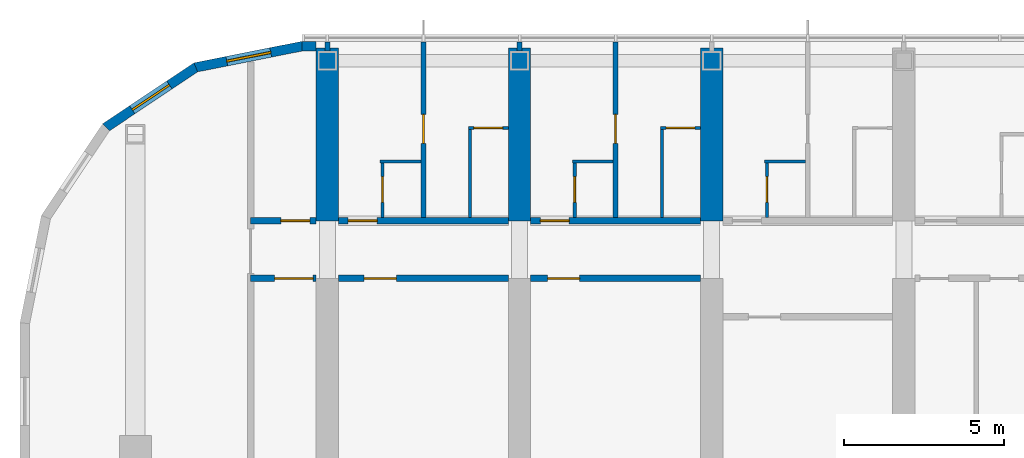
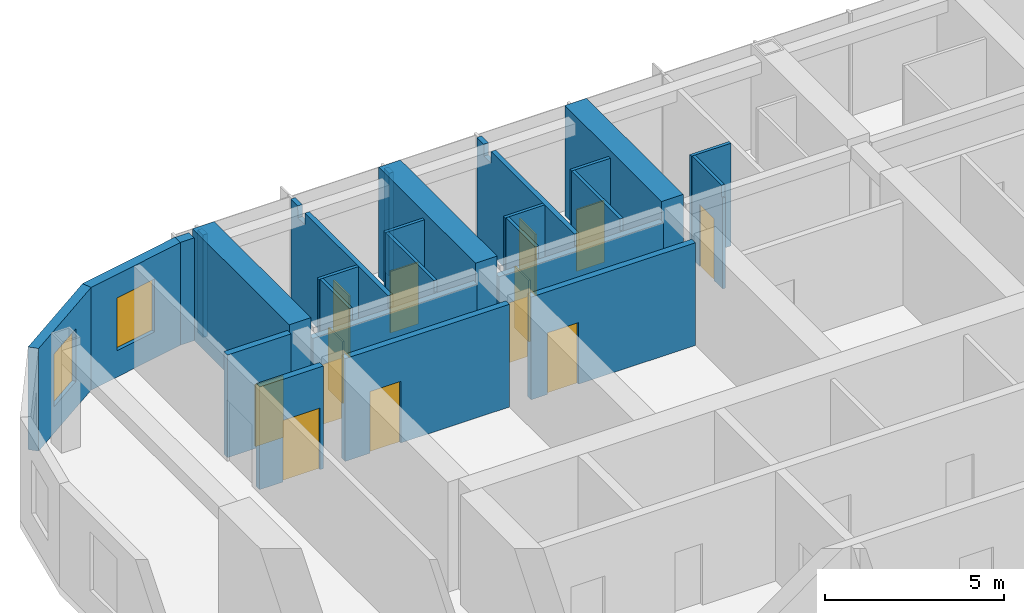
# One storey, part 16 of 24: 26 walls, 13 doors, 2 windows, 15 openings.
"""IFC4 building model written with IfcOpenShell, lengths in metres."""

from ifc_helpers import new_model, si_unit, direction, frame, frame_2d, origin, place, context, subcontext, project, spatial, polyline, rectangle, outline, extrude, material, layer, layer_set, type_object, element, fill, save


model = new_model("IFC4")

# Units and contexts
model_context = context("Model", 3, precision=1e-05, world=origin(), true_north=direction((0.0, 1.0)))
body_context = subcontext(model_context, "Body", "Model", "MODEL_VIEW")
ifc_project = project(units=[si_unit("LENGTHUNIT", "METRE"), si_unit("AREAUNIT", "SQUARE_METRE"), si_unit("VOLUMEUNIT", "CUBIC_METRE"), si_unit("PLANEANGLEUNIT", "RADIAN"), si_unit("MASSUNIT", "GRAM", prefix="KILO")], contexts=[model_context])

# Site, building, storey
site_placement = place(None, origin())
site = spatial("IfcSite", under=ifc_project, at=site_placement, CompositionType="ELEMENT")
building_placement = place(site_placement, origin())
building = spatial("IfcBuilding", under=site, at=building_placement, Name="Orbita Commons", CompositionType="ELEMENT")
storey_placement = place(building_placement, frame((0.0, 0.0, 239.050048828125)))
storey = spatial("IfcBuildingStorey", under=building, at=storey_placement, Name="L59", CompositionType="ELEMENT", Elevation=239.050048828125)

# Wall, opening, door
ifc_material_1 = material(Name="Concrete blockwork", Category="masonry")
ifc_layer_1 = layer(ifc_material_1, 0.199951171875)
ifc_layer_set_1 = layer_set([ifc_layer_1], Name="Concrete blockwork")
wall_type_1 = type_object("IfcWallType", Name="Corridor wall 200 blockwork", PredefinedType="SOLIDWALL", material=ifc_layer_set_1)
wall_1_placement = place(storey_placement, frame((15.60009765625, 47.39990234375, 0.0), z_axis=(0.0, 0.0, 1.0), x_axis=(1.0, 0.0, 0.0)))
wall_1 = element("IfcWall", 1, at=wall_1_placement, inside=storey, type_object=wall_type_1, Name="Corridor wall 200 blockwork L59", PredefinedType="SOLIDWALL", context=body_context, shape_type="SweptSolid", body=[
    extrude(rectangle(XDim=2.0498046875, YDim=0.199951171875, at=frame_2d((1.02490234375, 0.0))), origin(), (0.0, 0.0, 1.0), 3.5),
])
opening_1_placement = place(wall_1_placement, frame((0.949951171875, 0.0, 0.0)))
opening_1 = element("IfcOpeningElement", 2, at=opening_1_placement, cuts=wall_1, Name="Opening D05", PredefinedType="OPENING", context=body_context, shape_type="SweptSolid", body=[
    extrude(rectangle(XDim=0.89990234375, YDim=2.10009765625, at=frame_2d((0.449951171875, 1.050048828125))), frame((0.0, 0.10986328125, 0.0), z_axis=(0.0, -1.0, 0.0), x_axis=(1.0, 0.0, 0.0)), (0.0, 0.0, 1.0), 0.219970703125),
])
ifc_material_2 = material(Name="Steel-faced fire door leaf", Category="steel")
door_type_1 = type_object("IfcDoorType", Name="Service door 20 min 900x2100", OperationType="SINGLE_SWING_LEFT", PredefinedType="DOOR", material=ifc_material_2)
door_1_placement = place(opening_1_placement, origin())
door_1 = element("IfcDoor", 3, at=door_1_placement, inside=storey, type_object=door_type_1, Name="Linen store L59-KWN door", OperationType="SINGLE_SWING_LEFT", OverallHeight=2.10009765625, OverallWidth=0.89990234375, PredefinedType="DOOR", context=body_context, shape_type="SweptSolid", body=[
    extrude(rectangle(XDim=0.89990234375, YDim=2.10009765625, at=frame_2d((0.449951171875, 1.050048828125))), frame((0.0, 0.02490234375, 0.0), z_axis=(0.0, -1.0, 0.0), x_axis=(1.0, 0.0, 0.0)), (0.0, 0.0, 1.0), 0.050048828125),
])
fill(opening_1, door_1)

wall_2_placement = place(storey_placement, frame((18.35009765625, 47.39990234375, 0.0), z_axis=(0.0, 0.0, 1.0), x_axis=(1.0, 0.0, 0.0)))
wall_2 = element("IfcWall", 4, at=wall_2_placement, inside=storey, type_object=wall_type_1, Name="Corridor wall 200 blockwork L59", PredefinedType="SOLIDWALL", context=body_context, shape_type="SweptSolid", body=[
    extrude(outline(polyline([(0.0, 0.0), (5.2998046875, 0.0), (5.300048828125, 3.099853515625), (0.0, 3.099853515625), (0.0, 0.0)])), frame((0.0, 0.10009765625, 0.0), z_axis=(0.0, -1.0, 0.0), x_axis=(1.0, 0.0, 0.0)), (0.0, 0.0, 1.0), 0.199951171875),
])
opening_2_placement = place(wall_2_placement, frame((0.300048828125, 0.0, 0.0)))
opening_2 = element("IfcOpeningElement", 5, at=opening_2_placement, cuts=wall_2, Name="Opening D11", PredefinedType="OPENING", context=body_context, shape_type="SweptSolid", body=[
    extrude(rectangle(XDim=0.89990234375, YDim=2.10009765625, at=frame_2d((0.449951171875, 1.050048828125))), frame((0.0, 0.10986328125, 0.0), z_axis=(0.0, -1.0, 0.0), x_axis=(1.0, 0.0, 0.0)), (0.0, 0.0, 1.0), 0.219970703125),
])
ifc_material_3 = material(Name="Steel-faced fire door leaf", Category="steel")
door_type_2 = type_object("IfcDoorType", Name="Corridor door 20 min 900x2100", OperationType="SINGLE_SWING_LEFT", PredefinedType="DOOR", material=ifc_material_3)
door_2_placement = place(opening_2_placement, origin())
door_2 = element("IfcDoor", 6, at=door_2_placement, inside=storey, type_object=door_type_2, Name="Guest suite sitting room and kitchenette L59-N00 entrance door", OperationType="SINGLE_SWING_LEFT", OverallHeight=2.10009765625, OverallWidth=0.89990234375, PredefinedType="DOOR", context=body_context, shape_type="SweptSolid", body=[
    extrude(rectangle(XDim=0.89990234375, YDim=2.10009765625, at=frame_2d((0.449951171875, 1.050048828125))), frame((0.0, 0.02490234375, 0.0), z_axis=(0.0, -1.0, 0.0), x_axis=(1.0, 0.0, 0.0)), (0.0, 0.0, 1.0), 0.050048828125),
])
fill(opening_2, door_2)

wall_3_placement = place(storey_placement, frame((24.35009765625, 47.39990234375, 0.0), z_axis=(0.0, 0.0, 1.0), x_axis=(1.0, 0.0, 0.0)))
wall_3 = element("IfcWall", 7, at=wall_3_placement, inside=storey, type_object=wall_type_1, Name="Corridor wall 200 blockwork L59", PredefinedType="SOLIDWALL", context=body_context, shape_type="SweptSolid", body=[
    extrude(outline(polyline([(0.0, 0.0), (5.2998046875, 0.0), (5.300048828125, 3.099853515625), (0.0, 3.099853515625), (0.0, 0.0)])), frame((0.0, 0.10009765625, 0.0), z_axis=(0.0, -1.0, 0.0), x_axis=(1.0, 0.0, 0.0)), (0.0, 0.0, 1.0), 0.199951171875),
])
opening_3_placement = place(wall_3_placement, frame((0.300048828125, 0.0, 0.0)))
opening_3 = element("IfcOpeningElement", 8, at=opening_3_placement, cuts=wall_3, Name="Opening D11", PredefinedType="OPENING", context=body_context, shape_type="SweptSolid", body=[
    extrude(rectangle(XDim=0.89990234375, YDim=2.10009765625, at=frame_2d((0.449951171875, 1.050048828125))), frame((0.0, 0.10986328125, 0.0), z_axis=(0.0, -1.0, 0.0), x_axis=(1.0, 0.0, 0.0)), (0.0, 0.0, 1.0), 0.219970703125),
])
door_3_placement = place(opening_3_placement, origin())
door_3 = element("IfcDoor", 9, at=door_3_placement, inside=storey, type_object=door_type_2, Name="Guest suite sitting room and kitchenette L59-N02 entrance door", OperationType="SINGLE_SWING_LEFT", OverallHeight=2.10009765625, OverallWidth=0.89990234375, PredefinedType="DOOR", context=body_context, shape_type="SweptSolid", body=[
    extrude(rectangle(XDim=0.89990234375, YDim=2.10009765625, at=frame_2d((0.449951171875, 1.050048828125))), frame((0.0, 0.02490234375, 0.0), z_axis=(0.0, -1.0, 0.0), x_axis=(1.0, 0.0, 0.0)), (0.0, 0.0, 1.0), 0.050048828125),
])
fill(opening_3, door_3)

ifc_material_4 = material(Name="Hollow concrete block 200", Category="concrete")
ifc_layer_2 = layer(ifc_material_4, 0.199951171875)
ifc_layer_set_2 = layer_set([ifc_layer_2], Name="Hollow concrete block 200")
wall_type_2 = type_object("IfcWallType", Name="Corridor wall 200 hollow concrete block", PredefinedType="SOLIDWALL", material=ifc_layer_set_2)
wall_4_placement = place(storey_placement, frame((15.60009765625, 45.60009765625, 0.0), z_axis=(0.0, 0.0, 1.0), x_axis=(1.0, 0.0, 0.0)))
wall_4 = element("IfcWall", 10, at=wall_4_placement, inside=storey, type_object=wall_type_2, Name="Corridor wall 200 hollow concrete block L59", PredefinedType="SOLIDWALL", context=body_context, shape_type="SweptSolid", body=[
    extrude(rectangle(XDim=2.0498046875, YDim=0.199951171875, at=frame_2d((1.02490234375, 0.0))), origin(), (0.0, 0.0, 1.0), 3.5),
])
opening_4_placement = place(wall_4_placement, frame((0.75, 0.0, 0.0)))
opening_4 = element("IfcOpeningElement", 11, at=opening_4_placement, cuts=wall_4, Name="Opening D12", PredefinedType="OPENING", context=body_context, shape_type="SweptSolid", body=[
    extrude(rectangle(XDim=1.199951171875, YDim=2.10009765625, at=frame_2d((0.60009765625, 1.050048828125))), frame((0.0, 0.10986328125, 0.0), z_axis=(0.0, -1.0, 0.0), x_axis=(1.0, 0.0, 0.0)), (0.0, 0.0, 1.0), 0.219970703125),
])
ifc_material_5 = material(Name="Steel-faced fire door leaf", Category="steel")
door_type_3 = type_object("IfcDoorType", Name="Double corridor door 20 min 1200x2100", OperationType="DOUBLE_DOOR_SINGLE_SWING", PredefinedType="DOOR", material=ifc_material_5)
door_4_placement = place(opening_4_placement, origin())
door_4 = element("IfcDoor", 12, at=door_4_placement, inside=storey, type_object=door_type_3, Name="Cross corridor doors", OperationType="DOUBLE_DOOR_SINGLE_SWING", OverallHeight=2.10009765625, OverallWidth=1.199951171875, PredefinedType="DOOR", context=body_context, shape_type="SweptSolid", body=[
    extrude(rectangle(XDim=1.199951171875, YDim=2.10009765625, at=frame_2d((0.60009765625, 1.050048828125))), frame((0.0, 0.02490234375, 0.0), z_axis=(0.0, -1.0, 0.0), x_axis=(1.0, 0.0, 0.0)), (0.0, 0.0, 1.0), 0.050048828125),
])
fill(opening_4, door_4)

wall_5_placement = place(storey_placement, frame((18.35009765625, 45.60009765625, 0.0), z_axis=(0.0, 0.0, 1.0), x_axis=(1.0, 0.0, 0.0)))
wall_5 = element("IfcWall", 13, at=wall_5_placement, inside=storey, type_object=wall_type_2, Name="Corridor wall 200 hollow concrete block L59", PredefinedType="SOLIDWALL", context=body_context, shape_type="SweptSolid", body=[
    extrude(rectangle(XDim=5.2998046875, YDim=0.199951171875, at=frame_2d((2.64990234375, 0.0))), origin(), (0.0, 0.0, 1.0), 3.5),
])
opening_5_placement = place(wall_5_placement, frame((0.800048828125, 0.0, 0.0)))
opening_5 = element("IfcOpeningElement", 14, at=opening_5_placement, cuts=wall_5, Name="Opening D06", PredefinedType="OPENING", context=body_context, shape_type="SweptSolid", body=[
    extrude(rectangle(XDim=1.0, YDim=2.10009765625, at=frame_2d((0.5, 1.050048828125))), frame((0.0, 0.10986328125, 0.0), z_axis=(0.0, -1.0, 0.0), x_axis=(1.0, 0.0, 0.0)), (0.0, 0.0, 1.0), 0.219970703125),
])
ifc_material_6 = material(Name="Steel-faced fire door leaf", Category="steel")
door_type_4 = type_object("IfcDoorType", Name="Corridor door 20 min 1000x2100", OperationType="SINGLE_SWING_LEFT", PredefinedType="DOOR", material=ifc_material_6)
door_5_placement = place(opening_5_placement, origin())
door_5 = element("IfcDoor", 15, at=door_5_placement, inside=storey, type_object=door_type_4, Name="Refuse and recycling room L59-BDN18 door", OperationType="SINGLE_SWING_LEFT", OverallHeight=2.10009765625, OverallWidth=1.0, PredefinedType="DOOR", context=body_context, shape_type="SweptSolid", body=[
    extrude(rectangle(XDim=1.0, YDim=2.10009765625, at=frame_2d((0.5, 1.050048828125))), frame((0.0, 0.02490234375, 0.0), z_axis=(0.0, -1.0, 0.0), x_axis=(1.0, 0.0, 0.0)), (0.0, 0.0, 1.0), 0.050048828125),
])
fill(opening_5, door_5)

wall_6_placement = place(storey_placement, frame((24.35009765625, 45.60009765625, 0.0), z_axis=(0.0, 0.0, 1.0), x_axis=(1.0, 0.0, 0.0)))
wall_6 = element("IfcWall", 16, at=wall_6_placement, inside=storey, type_object=wall_type_2, Name="Corridor wall 200 hollow concrete block L59", PredefinedType="SOLIDWALL", context=body_context, shape_type="SweptSolid", body=[
    extrude(rectangle(XDim=5.2998046875, YDim=0.199951171875, at=frame_2d((2.64990234375, 0.0))), origin(), (0.0, 0.0, 1.0), 3.5),
])
opening_6_placement = place(wall_6_placement, frame((0.52490234375, 0.0, 0.0)))
opening_6 = element("IfcOpeningElement", 17, at=opening_6_placement, cuts=wall_6, Name="Opening D06", PredefinedType="OPENING", context=body_context, shape_type="SweptSolid", body=[
    extrude(rectangle(XDim=1.0, YDim=2.10009765625, at=frame_2d((0.5, 1.050048828125))), frame((0.0, 0.10986328125, 0.0), z_axis=(0.0, -1.0, 0.0), x_axis=(1.0, 0.0, 0.0)), (0.0, 0.0, 1.0), 0.219970703125),
])
door_6_placement = place(opening_6_placement, origin())
door_6 = element("IfcDoor", 18, at=door_6_placement, inside=storey, type_object=door_type_4, Name="Bulk storage room L59-BDN24 door", OperationType="SINGLE_SWING_LEFT", OverallHeight=2.10009765625, OverallWidth=1.0, PredefinedType="DOOR", context=body_context, shape_type="SweptSolid", body=[
    extrude(rectangle(XDim=1.0, YDim=2.10009765625, at=frame_2d((0.5, 1.050048828125))), frame((0.0, 0.02490234375, 0.0), z_axis=(0.0, -1.0, 0.0), x_axis=(1.0, 0.0, 0.0)), (0.0, 0.0, 1.0), 0.050048828125),
])
fill(opening_6, door_6)

# Walls
ifc_material_7 = material(Name="Concrete C50/60", Category="concrete")
ifc_layer_3 = layer(ifc_material_7, 0.699951171875)
ifc_layer_set_3 = layer_set([ifc_layer_3], Name="Concrete C50/60")
wall_type_3 = type_object("IfcWallType", Name="Cross wall 700 C50/60", PredefinedType="SHEAR", material=ifc_layer_set_3)
for number, where, z_axis, x_axis, name in (
    (19, (18.0, 47.39990234375, 0.0), (0.0, 0.0, 1.0), (0.0, 1.0, 0.0), "Cross wall 4 north outer L59"),
    (20, (24.0, 47.39990234375, 0.0), (0.0, 0.0, 1.0), (0.0, 1.0, 0.0), "Cross wall 5 north outer L59"),
    (21, (30.0, 47.39990234375, 0.0), (0.0, 0.0, 1.0), (0.0, 1.0, 0.0), "Cross wall 6 north outer L59"),
):
    element("IfcWall", number, at=place(storey_placement, frame(where, z_axis=z_axis, x_axis=x_axis)), inside=storey, type_object=wall_type_3, Name=name, PredefinedType="SHEAR", context=body_context, shape_type="SweptSolid", body=[
        extrude(rectangle(XDim=5.400146484375, YDim=0.699951171875, at=frame_2d((2.7001953125, 0.0))), origin(), (0.0, 0.0, 1.0), 3.75),
    ])

# Wall, opening, door
ifc_material_8 = material(Name="Moisture-resistant plasterboard on steel studs", Category="steel")
ifc_layer_4 = layer(ifc_material_8, 0.10009765625)
ifc_layer_set_4 = layer_set([ifc_layer_4], Name="Moisture-resistant plasterboard on steel studs")
wall_type_4 = type_object("IfcWallType", Name="En-suite partition 100", PredefinedType="PARTITIONING", material=ifc_layer_set_4)
wall_7_placement = place(storey_placement, frame((22.39990234375, 50.300048828125, 0.0), z_axis=(0.0, 0.0, 1.0), x_axis=(1.0, 0.0, 0.0)))
wall_7 = element("IfcWall", 22, at=wall_7_placement, inside=storey, type_object=wall_type_4, Name="En-suite partition 100 L59", PredefinedType="PARTITIONING", context=body_context, shape_type="SweptSolid", body=[
    extrude(rectangle(XDim=1.25, YDim=0.10009765625, at=frame_2d((0.625, 0.0))), origin(), (0.0, 0.0, 1.0), 3.5),
])
opening_7_placement = place(wall_7_placement, frame((0.175048828125, 0.0, 0.0)))
opening_7 = element("IfcOpeningElement", 23, at=opening_7_placement, cuts=wall_7, Name="Opening D09", PredefinedType="OPENING", context=body_context, shape_type="SweptSolid", body=[
    extrude(rectangle(XDim=0.89990234375, YDim=2.10009765625, at=frame_2d((0.449951171875, 1.050048828125))), frame((0.0, 0.06005859375, 0.0), z_axis=(0.0, -1.0, 0.0), x_axis=(1.0, 0.0, 0.0)), (0.0, 0.0, 1.0), 0.1201171875),
])
ifc_material_9 = material(Name="Laminated timber door leaf", Category="wood")
door_type_5 = type_object("IfcDoorType", Name="En-suite door 900x2100", OperationType="SINGLE_SWING_RIGHT", PredefinedType="DOOR", material=ifc_material_9)
door_7_placement = place(opening_7_placement, origin())
door_7 = element("IfcDoor", 24, at=door_7_placement, inside=storey, type_object=door_type_5, Name="En-suite L59-N01 door", OperationType="SINGLE_SWING_RIGHT", OverallHeight=2.10009765625, OverallWidth=0.89990234375, PredefinedType="DOOR", context=body_context, shape_type="SweptSolid", body=[
    extrude(rectangle(XDim=0.89990234375, YDim=2.10009765625, at=frame_2d((0.449951171875, 1.050048828125))), frame((0.0, 0.02490234375, 0.0), z_axis=(0.0, -1.0, 0.0), x_axis=(1.0, 0.0, 0.0)), (0.0, 0.0, 1.0), 0.050048828125),
])
fill(opening_7, door_7)

# Walls
wall_8_placement = place(storey_placement, frame((22.449951171875, 50.25, 0.0), z_axis=(0.0, 0.0, 1.0), x_axis=(0.0, -1.0, 0.0)))
element("IfcWall", 25, at=wall_8_placement, inside=storey, type_object=wall_type_4, Name="En-suite partition 100 L59", PredefinedType="PARTITIONING", context=body_context, shape_type="SweptSolid", body=[
    extrude(outline(polyline([(0.0, 0.0), (2.75, 0.0), (2.75, 3.099853515625), (2.701904296875, 3.099853515625), (2.699951171875, 3.5), (0.0, 3.5), (0.0, 0.0)])), frame((0.0, 0.050048828125, 0.0), z_axis=(0.0, -1.0, 0.0), x_axis=(1.0, 0.0, 0.0)), (0.0, 0.0, 1.0), 0.10009765625),
])
wall_9_placement = place(storey_placement, frame((19.64990234375, 49.25, 0.0), z_axis=(0.0, 0.0, 1.0), x_axis=(1.0, 0.0, 0.0)))
element("IfcWall", 26, at=wall_9_placement, inside=storey, type_object=wall_type_4, Name="En-suite partition 100 L59", PredefinedType="PARTITIONING", context=body_context, shape_type="SweptSolid", body=[
    extrude(rectangle(XDim=1.275146484375, YDim=0.10009765625, at=frame_2d((0.6376953125, 0.0))), origin(), (0.0, 0.0, 1.0), 3.5),
])

# Wall, opening, door
wall_10_placement = place(storey_placement, frame((19.72509765625, 49.25, 0.0), z_axis=(0.0, 0.0, 1.0), x_axis=(0.0, -1.0, 0.0)))
wall_10 = element("IfcWall", 27, at=wall_10_placement, inside=storey, type_object=wall_type_4, Name="En-suite partition 100 L59", PredefinedType="PARTITIONING", context=body_context, shape_type="SweptSolid", body=[
    extrude(outline(polyline([(0.0, 0.0), (1.75, 0.0), (1.75, 3.099853515625), (1.701904296875, 3.099853515625), (1.699951171875, 3.5), (0.0, 3.5), (0.0, 0.0)])), frame((0.0, 0.050048828125, 0.0), z_axis=(0.0, -1.0, 0.0), x_axis=(1.0, 0.0, 0.0)), (0.0, 0.0, 1.0), 0.10009765625),
])
opening_8_placement = place(wall_10_placement, frame((0.47509765625, 0.0, 0.0)))
opening_8 = element("IfcOpeningElement", 28, at=opening_8_placement, cuts=wall_10, Name="Opening D16", PredefinedType="OPENING", context=body_context, shape_type="SweptSolid", body=[
    extrude(rectangle(XDim=0.800048828125, YDim=2.10009765625, at=frame_2d((0.39990234375, 1.050048828125))), frame((0.0, 0.06005859375, 0.0), z_axis=(0.0, -1.0, 0.0), x_axis=(1.0, 0.0, 0.0)), (0.0, 0.0, 1.0), 0.1201171875),
])
ifc_material_10 = material(Name="Laminated timber door leaf", Category="wood")
door_type_6 = type_object("IfcDoorType", Name="En-suite door 800x2100", OperationType="SINGLE_SWING_RIGHT", PredefinedType="DOOR", material=ifc_material_10)
door_8_placement = place(opening_8_placement, origin())
door_8 = element("IfcDoor", 29, at=door_8_placement, inside=storey, type_object=door_type_6, Name="Guest suite WC L59-N00 door", OperationType="SINGLE_SWING_RIGHT", OverallHeight=2.10009765625, OverallWidth=0.800048828125, PredefinedType="DOOR", context=body_context, shape_type="SweptSolid", body=[
    extrude(rectangle(XDim=0.800048828125, YDim=2.10009765625, at=frame_2d((0.39990234375, 1.050048828125))), frame((0.0, 0.02490234375, 0.0), z_axis=(0.0, -1.0, 0.0), x_axis=(1.0, 0.0, 0.0)), (0.0, 0.0, 1.0), 0.050048828125),
])
fill(opening_8, door_8)

wall_11_placement = place(storey_placement, frame((28.39990234375, 50.300048828125, 0.0), z_axis=(0.0, 0.0, 1.0), x_axis=(1.0, 0.0, 0.0)))
wall_11 = element("IfcWall", 30, at=wall_11_placement, inside=storey, type_object=wall_type_4, Name="En-suite partition 100 L59", PredefinedType="PARTITIONING", context=body_context, shape_type="SweptSolid", body=[
    extrude(rectangle(XDim=1.25, YDim=0.10009765625, at=frame_2d((0.625, 0.0))), origin(), (0.0, 0.0, 1.0), 3.5),
])
opening_9_placement = place(wall_11_placement, frame((0.175048828125, 0.0, 0.0)))
opening_9 = element("IfcOpeningElement", 31, at=opening_9_placement, cuts=wall_11, Name="Opening D09", PredefinedType="OPENING", context=body_context, shape_type="SweptSolid", body=[
    extrude(rectangle(XDim=0.89990234375, YDim=2.10009765625, at=frame_2d((0.449951171875, 1.050048828125))), frame((0.0, 0.06005859375, 0.0), z_axis=(0.0, -1.0, 0.0), x_axis=(1.0, 0.0, 0.0)), (0.0, 0.0, 1.0), 0.1201171875),
])
door_9_placement = place(opening_9_placement, origin())
door_9 = element("IfcDoor", 32, at=door_9_placement, inside=storey, type_object=door_type_5, Name="En-suite L59-N03 door", OperationType="SINGLE_SWING_RIGHT", OverallHeight=2.10009765625, OverallWidth=0.89990234375, PredefinedType="DOOR", context=body_context, shape_type="SweptSolid", body=[
    extrude(rectangle(XDim=0.89990234375, YDim=2.10009765625, at=frame_2d((0.449951171875, 1.050048828125))), frame((0.0, 0.02490234375, 0.0), z_axis=(0.0, -1.0, 0.0), x_axis=(1.0, 0.0, 0.0)), (0.0, 0.0, 1.0), 0.050048828125),
])
fill(opening_9, door_9)

# Walls
wall_12_placement = place(storey_placement, frame((28.449951171875, 50.25, 0.0), z_axis=(0.0, 0.0, 1.0), x_axis=(0.0, -1.0, 0.0)))
element("IfcWall", 33, at=wall_12_placement, inside=storey, type_object=wall_type_4, Name="En-suite partition 100 L59", PredefinedType="PARTITIONING", context=body_context, shape_type="SweptSolid", body=[
    extrude(outline(polyline([(0.0, 0.0), (2.75, 0.0), (2.75, 3.099853515625), (2.701904296875, 3.099853515625), (2.699951171875, 3.5), (0.0, 3.5), (0.0, 0.0)])), frame((0.0, 0.050048828125, 0.0), z_axis=(0.0, -1.0, 0.0), x_axis=(1.0, 0.0, 0.0)), (0.0, 0.0, 1.0), 0.10009765625),
])
wall_13_placement = place(storey_placement, frame((25.64990234375, 49.25, 0.0), z_axis=(0.0, 0.0, 1.0), x_axis=(1.0, 0.0, 0.0)))
element("IfcWall", 34, at=wall_13_placement, inside=storey, type_object=wall_type_4, Name="En-suite partition 100 L59", PredefinedType="PARTITIONING", context=body_context, shape_type="SweptSolid", body=[
    extrude(rectangle(XDim=1.275146484375, YDim=0.10009765625, at=frame_2d((0.6376953125, 0.0))), origin(), (0.0, 0.0, 1.0), 3.5),
])

# Wall, opening, door
wall_14_placement = place(storey_placement, frame((25.72509765625, 49.25, 0.0), z_axis=(0.0, 0.0, 1.0), x_axis=(0.0, -1.0, 0.0)))
wall_14 = element("IfcWall", 35, at=wall_14_placement, inside=storey, type_object=wall_type_4, Name="En-suite partition 100 L59", PredefinedType="PARTITIONING", context=body_context, shape_type="SweptSolid", body=[
    extrude(outline(polyline([(0.0, 0.0), (1.75, 0.0), (1.75, 3.099853515625), (1.701904296875, 3.099853515625), (1.699951171875, 3.5), (0.0, 3.5), (0.0, 0.0)])), frame((0.0, 0.050048828125, 0.0), z_axis=(0.0, -1.0, 0.0), x_axis=(1.0, 0.0, 0.0)), (0.0, 0.0, 1.0), 0.10009765625),
])
opening_10_placement = place(wall_14_placement, frame((0.47509765625, 0.0, 0.0)))
opening_10 = element("IfcOpeningElement", 36, at=opening_10_placement, cuts=wall_14, Name="Opening D16", PredefinedType="OPENING", context=body_context, shape_type="SweptSolid", body=[
    extrude(rectangle(XDim=0.800048828125, YDim=2.10009765625, at=frame_2d((0.39990234375, 1.050048828125))), frame((0.0, 0.06005859375, 0.0), z_axis=(0.0, -1.0, 0.0), x_axis=(1.0, 0.0, 0.0)), (0.0, 0.0, 1.0), 0.1201171875),
])
door_10_placement = place(opening_10_placement, origin())
door_10 = element("IfcDoor", 37, at=door_10_placement, inside=storey, type_object=door_type_6, Name="Guest suite WC L59-N02 door", OperationType="SINGLE_SWING_RIGHT", OverallHeight=2.10009765625, OverallWidth=0.800048828125, PredefinedType="DOOR", context=body_context, shape_type="SweptSolid", body=[
    extrude(rectangle(XDim=0.800048828125, YDim=2.10009765625, at=frame_2d((0.39990234375, 1.050048828125))), frame((0.0, 0.02490234375, 0.0), z_axis=(0.0, -1.0, 0.0), x_axis=(1.0, 0.0, 0.0)), (0.0, 0.0, 1.0), 0.050048828125),
])
fill(opening_10, door_10)

# Wall
wall_15_placement = place(storey_placement, frame((31.64990234375, 49.25, 0.0), z_axis=(0.0, 0.0, 1.0), x_axis=(1.0, 0.0, 0.0)))
element("IfcWall", 38, at=wall_15_placement, inside=storey, type_object=wall_type_4, Name="En-suite partition 100 L59", PredefinedType="PARTITIONING", context=body_context, shape_type="SweptSolid", body=[
    extrude(rectangle(XDim=1.275146484375, YDim=0.10009765625, at=frame_2d((0.6376953125, 0.0))), origin(), (0.0, 0.0, 1.0), 3.5),
])

# Wall, opening, door
wall_16_placement = place(storey_placement, frame((31.72509765625, 49.25, 0.0), z_axis=(0.0, 0.0, 1.0), x_axis=(0.0, -1.0, 0.0)))
wall_16 = element("IfcWall", 39, at=wall_16_placement, inside=storey, type_object=wall_type_4, Name="En-suite partition 100 L59", PredefinedType="PARTITIONING", context=body_context, shape_type="SweptSolid", body=[
    extrude(outline(polyline([(0.0, 0.0), (1.75, 0.0), (1.75, 3.099853515625), (1.701904296875, 3.099853515625), (1.699951171875, 3.5), (0.0, 3.5), (0.0, 0.0)])), frame((0.0, 0.050048828125, 0.0), z_axis=(0.0, -1.0, 0.0), x_axis=(1.0, 0.0, 0.0)), (0.0, 0.0, 1.0), 0.10009765625),
])
opening_11_placement = place(wall_16_placement, frame((0.47509765625, 0.0, 0.0)))
opening_11 = element("IfcOpeningElement", 40, at=opening_11_placement, cuts=wall_16, Name="Opening D16", PredefinedType="OPENING", context=body_context, shape_type="SweptSolid", body=[
    extrude(rectangle(XDim=0.800048828125, YDim=2.10009765625, at=frame_2d((0.39990234375, 1.050048828125))), frame((0.0, 0.06005859375, 0.0), z_axis=(0.0, -1.0, 0.0), x_axis=(1.0, 0.0, 0.0)), (0.0, 0.0, 1.0), 0.1201171875),
])
door_11_placement = place(opening_11_placement, origin())
door_11 = element("IfcDoor", 41, at=door_11_placement, inside=storey, type_object=door_type_6, Name="Guest suite WC L59-N04 door", OperationType="SINGLE_SWING_RIGHT", OverallHeight=2.10009765625, OverallWidth=0.800048828125, PredefinedType="DOOR", context=body_context, shape_type="SweptSolid", body=[
    extrude(rectangle(XDim=0.800048828125, YDim=2.10009765625, at=frame_2d((0.39990234375, 1.050048828125))), frame((0.0, 0.02490234375, 0.0), z_axis=(0.0, -1.0, 0.0), x_axis=(1.0, 0.0, 0.0)), (0.0, 0.0, 1.0), 0.050048828125),
])
fill(opening_11, door_11)

ifc_material_11 = material(Name="Gypsum plasterboard on steel studs", Category="steel")
ifc_layer_5 = layer(ifc_material_11, 0.14990234375)
ifc_layer_set_5 = layer_set([ifc_layer_5], Name="Gypsum plasterboard on steel studs")
wall_type_5 = type_object("IfcWallType", Name="Partition 150 plasterboard", PredefinedType="PARTITIONING", material=ifc_layer_set_5)
wall_17_placement = place(storey_placement, frame((21.0, 52.989990234375, 0.0), z_axis=(0.0, 0.0, 1.0), x_axis=(0.0, -1.0, 0.0)))
wall_17 = element("IfcWall", 42, at=wall_17_placement, inside=storey, type_object=wall_type_5, Name="Partition 150 plasterboard L59", PredefinedType="PARTITIONING", context=body_context, shape_type="SweptSolid", body=[
    extrude(outline(polyline([(0.0, 0.0), (5.489990234375, 0.0), (5.489990234375, 3.099853515625), (5.44189453125, 3.099853515625), (5.43994140625, 3.5), (0.7919921875, 3.5), (0.7900390625, 3.099853515625), (0.39208984375, 3.099853515625), (0.389892578125, 3.5), (0.0, 3.5), (0.0, 0.0)])), frame((0.0, 0.074951171875, 0.0), z_axis=(0.0, -1.0, 0.0), x_axis=(1.0, 0.0, 0.0)), (0.0, 0.0, 1.0), 0.14990234375),
])
opening_12_placement = place(wall_17_placement, frame((2.27001953125, 0.0, 0.0)))
opening_12 = element("IfcOpeningElement", 43, at=opening_12_placement, cuts=wall_17, Name="Opening D09", PredefinedType="OPENING", context=body_context, shape_type="SweptSolid", body=[
    extrude(rectangle(XDim=0.89990234375, YDim=2.10009765625, at=frame_2d((0.449951171875, 1.050048828125))), frame((0.0, 0.0849609375, 0.0), z_axis=(0.0, -1.0, 0.0), x_axis=(1.0, 0.0, 0.0)), (0.0, 0.0, 1.0), 0.169921875),
])
door_12_placement = place(opening_12_placement, origin())
door_12 = element("IfcDoor", 44, at=door_12_placement, inside=storey, type_object=door_type_5, Name="Guest suite bedroom L59-N00 door", OperationType="SINGLE_SWING_RIGHT", OverallHeight=2.10009765625, OverallWidth=0.89990234375, PredefinedType="DOOR", context=body_context, shape_type="SweptSolid", body=[
    extrude(rectangle(XDim=0.89990234375, YDim=2.10009765625, at=frame_2d((0.449951171875, 1.050048828125))), frame((0.0, 0.02490234375, 0.0), z_axis=(0.0, -1.0, 0.0), x_axis=(1.0, 0.0, 0.0)), (0.0, 0.0, 1.0), 0.050048828125),
])
fill(opening_12, door_12)

wall_18_placement = place(storey_placement, frame((27.0, 52.989990234375, 0.0), z_axis=(0.0, 0.0, 1.0), x_axis=(0.0, -1.0, 0.0)))
wall_18 = element("IfcWall", 45, at=wall_18_placement, inside=storey, type_object=wall_type_5, Name="Partition 150 plasterboard L59", PredefinedType="PARTITIONING", context=body_context, shape_type="SweptSolid", body=[
    extrude(outline(polyline([(0.0, 0.0), (5.489990234375, 0.0), (5.489990234375, 3.099853515625), (5.44189453125, 3.099853515625), (5.43994140625, 3.5), (0.7919921875, 3.5), (0.7900390625, 3.099853515625), (0.39208984375, 3.099853515625), (0.389892578125, 3.5), (0.0, 3.5), (0.0, 0.0)])), frame((0.0, 0.074951171875, 0.0), z_axis=(0.0, -1.0, 0.0), x_axis=(1.0, 0.0, 0.0)), (0.0, 0.0, 1.0), 0.14990234375),
])
opening_13_placement = place(wall_18_placement, frame((2.27001953125, 0.0, 0.0)))
opening_13 = element("IfcOpeningElement", 46, at=opening_13_placement, cuts=wall_18, Name="Opening D09", PredefinedType="OPENING", context=body_context, shape_type="SweptSolid", body=[
    extrude(rectangle(XDim=0.89990234375, YDim=2.10009765625, at=frame_2d((0.449951171875, 1.050048828125))), frame((0.0, 0.0849609375, 0.0), z_axis=(0.0, -1.0, 0.0), x_axis=(1.0, 0.0, 0.0)), (0.0, 0.0, 1.0), 0.169921875),
])
door_13_placement = place(opening_13_placement, origin())
door_13 = element("IfcDoor", 47, at=door_13_placement, inside=storey, type_object=door_type_5, Name="Guest suite bedroom L59-N02 door", OperationType="SINGLE_SWING_RIGHT", OverallHeight=2.10009765625, OverallWidth=0.89990234375, PredefinedType="DOOR", context=body_context, shape_type="SweptSolid", body=[
    extrude(rectangle(XDim=0.89990234375, YDim=2.10009765625, at=frame_2d((0.449951171875, 1.050048828125))), frame((0.0, 0.02490234375, 0.0), z_axis=(0.0, -1.0, 0.0), x_axis=(1.0, 0.0, 0.0)), (0.0, 0.0, 1.0), 0.050048828125),
])
fill(opening_13, door_13)

# Walls
for number, where, z_axis, x_axis, name in (
    (48, (18.0, 52.699951171875, 0.0), (0.0, 0.0, 1.0), (0.0, 1.0, 0.0), "Partition 150 plasterboard L59"),
    (49, (24.0, 52.699951171875, 0.0), (0.0, 0.0, 1.0), (0.0, 1.0, 0.0), "Partition 150 plasterboard L59"),
):
    element("IfcWall", number, at=place(storey_placement, frame(where, z_axis=z_axis, x_axis=x_axis)), inside=storey, type_object=wall_type_5, Name=name, PredefinedType="PARTITIONING", context=body_context, shape_type="SweptSolid", body=[
        extrude(rectangle(XDim=0.2900390625, YDim=0.14990234375, at=frame_2d((0.14501953125, 0.0))), origin(), (0.0, 0.0, 1.0), 3.5),
    ])

# Wall, opening, window
ifc_material_12 = material(Name="Precast concrete C40/50, white board-marked finish", Category="concrete")
ifc_layer_6 = layer(ifc_material_12, 0.300048828125)
ifc_layer_set_6 = layer_set([ifc_layer_6], Name="Precast concrete C40/50, white board-marked finish")
wall_type_6 = type_object("IfcWallType", Name="Precast concrete end shield 300", PredefinedType="SOLIDWALL", material=ifc_layer_set_6)
wall_19_placement = place(storey_placement, frame((17.199951171875, 52.85009765625, 0.0), z_axis=(0.0, 0.0, 1.0), x_axis=(-0.98078325777, -0.195100490205, 0.0)))
wall_19 = element("IfcWall", 50, at=wall_19_placement, inside=storey, type_object=wall_type_6, Name="End shield NW chord 1 L59", PredefinedType="SOLIDWALL", context=body_context, shape_type="SweptSolid", body=[
    extrude(outline(polyline([(-0.02978515625, -0.14990234375), (3.40478515625, -0.14990234375), (3.34521484375, 0.14990234375), (0.02978515625, 0.14990234375), (-0.02978515625, -0.14990234375)])), origin(), (0.0, 0.0, 1.0), 3.5),
])
opening_14_placement = place(wall_19_placement, frame((0.987548828125, 0.0, 0.89990234375)))
opening_14 = element("IfcOpeningElement", 51, at=opening_14_placement, cuts=wall_19, Name="Opening W02", PredefinedType="OPENING", context=body_context, shape_type="SweptSolid", body=[
    extrude(rectangle(XDim=1.39990234375, YDim=1.800048828125, at=frame_2d((0.699951171875, 0.89990234375))), frame((0.0, 0.159912109375, 0.0), z_axis=(0.0, -1.0, 0.0), x_axis=(1.0, 0.0, 0.0)), (0.0, 0.0, 1.0), 0.320068359375),
])
ifc_material_13 = material(Name="Aluminium frame, clear double glazing", Category="aluminium")
window_type = type_object("IfcWindowType", Name="Deep-set window 1400x1800", PartitioningType="SINGLE_PANEL", PredefinedType="WINDOW", material=ifc_material_13)
window_1_placement = place(opening_14_placement, origin())
window_1 = element("IfcWindow", 52, at=window_1_placement, inside=storey, type_object=window_type, Name="Window L59-NW0", OverallHeight=1.800048828125, OverallWidth=1.39990234375, PartitioningType="SINGLE_PANEL", PredefinedType="WINDOW", context=body_context, shape_type="SweptSolid", body=[
    extrude(rectangle(XDim=1.39990234375, YDim=1.800048828125, at=frame_2d((0.699951171875, 0.89990234375))), frame((0.0, 0.030029296875, 0.0), z_axis=(0.0, -1.0, 0.0), x_axis=(1.0, 0.0, 0.0)), (0.0, 0.0, 1.0), 0.06005859375),
])
fill(opening_14, window_1)

wall_20_placement = place(storey_placement, frame((13.889892578125, 52.191650390625, 0.0), z_axis=(0.0, 0.0, 1.0), x_axis=(-0.831460037396, -0.555584562613, 0.0)))
wall_20 = element("IfcWall", 53, at=wall_20_placement, inside=storey, type_object=wall_type_6, Name="End shield NW chord 2 L59", PredefinedType="SOLIDWALL", context=body_context, shape_type="SweptSolid", body=[
    extrude(outline(polyline([(-0.02978515625, -0.14990234375), (3.405029296875, -0.14990234375), (3.345458984375, 0.14990234375), (0.02978515625, 0.14990234375), (-0.02978515625, -0.14990234375)])), origin(), (0.0, 0.0, 1.0), 3.5),
])
opening_15_placement = place(wall_20_placement, frame((0.987548828125, 0.0, 0.89990234375)))
opening_15 = element("IfcOpeningElement", 54, at=opening_15_placement, cuts=wall_20, Name="Opening W02", PredefinedType="OPENING", context=body_context, shape_type="SweptSolid", body=[
    extrude(rectangle(XDim=1.39990234375, YDim=1.800048828125, at=frame_2d((0.699951171875, 0.89990234375))), frame((0.0, 0.159912109375, 0.0), z_axis=(0.0, -1.0, 0.0), x_axis=(1.0, 0.0, 0.0)), (0.0, 0.0, 1.0), 0.320068359375),
])
window_2_placement = place(opening_15_placement, origin())
window_2 = element("IfcWindow", 55, at=window_2_placement, inside=storey, type_object=window_type, Name="Window L59-NW1", OverallHeight=1.800048828125, OverallWidth=1.39990234375, PartitioningType="SINGLE_PANEL", PredefinedType="WINDOW", context=body_context, shape_type="SweptSolid", body=[
    extrude(rectangle(XDim=1.39990234375, YDim=1.800048828125, at=frame_2d((0.699951171875, 0.89990234375))), frame((0.0, 0.030029296875, 0.0), z_axis=(0.0, -1.0, 0.0), x_axis=(1.0, 0.0, 0.0)), (0.0, 0.0, 1.0), 0.06005859375),
])
fill(opening_15, window_2)

# Wall
wall_21_placement = place(storey_placement, frame((17.199951171875, 52.85009765625, 0.0), z_axis=(0.0, 0.0, 1.0), x_axis=(1.0, 0.0, 0.0)))
element("IfcWall", 56, at=wall_21_placement, inside=storey, type_object=wall_type_6, Name="End shield NW closer L59", PredefinedType="SOLIDWALL", context=body_context, shape_type="SweptSolid", body=[
    extrude(rectangle(XDim=0.449951171875, YDim=0.300048828125, at=frame_2d((0.22509765625, 0.0))), origin(), (0.0, 0.0, 1.0), 3.5),
])

save(model, "model.ifc")
